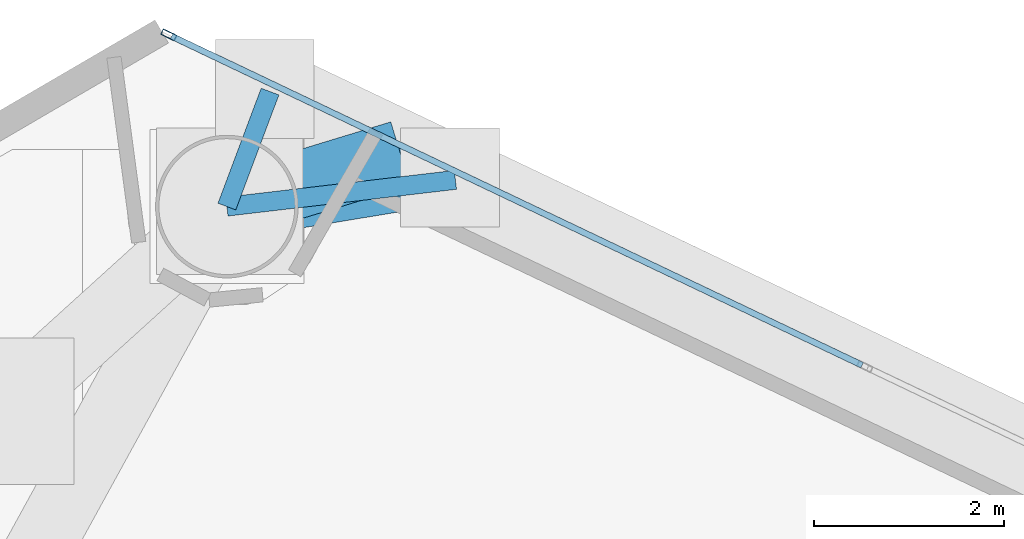
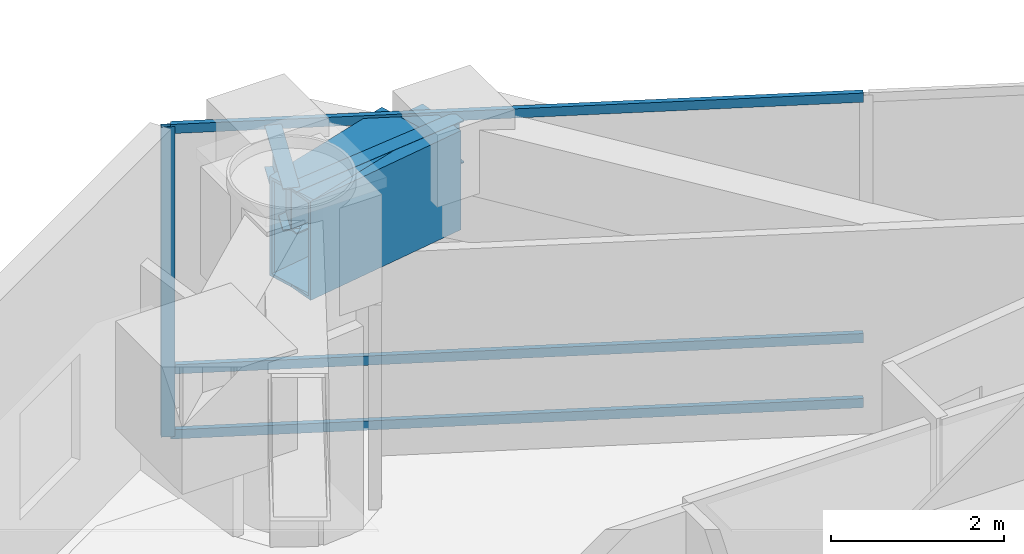
# One storey, part 16 of 22: 4 beams, 4 members, 1 element without a shape of its own.
"""IFC4 building model written with IfcOpenShell, lengths in metres."""

import ifcopenshell
import ifcopenshell.guid

model = None  # the IFC model being written
_history = None  # IfcOwnerHistory: only IFC2X3 demands one
_inside = {}  # id of a spatial element -> (the spatial element, [elements in it])
_under = {}  # id of a project, library or spatial element -> (it, [spatial elements below it])
_declared = {}  # id of a project -> (the project, [libraries it declares])
_typed = {}  # id of a type object -> (the type object, [elements of that type])
_made_of = {}  # id of a material, layer set ... -> (it, [elements and type objects made of it])


def new_model(schema):
    """Start an empty IFC model of exactly this schema.

    Asked for "IFC4X3", IfcOpenShell would pick the latest addendum, in which some entities
    have other attributes; the version numbers below select the first issue.
    IFC2X3 requires an IfcOwnerHistory on every rooted entity: one is made here for all.
    """
    global model, _history
    if schema == "IFC4X3":
        model = ifcopenshell.file(schema_version=(4, 3, 0, 0))
    else:
        model = ifcopenshell.file(schema=schema)
    _inside.clear()
    _under.clear()
    _declared.clear()
    _typed.clear()
    _made_of.clear()
    _history = None
    if model.schema == "IFC2X3":
        org = make("IfcOrganization", Name="unknown")
        user = make(
            "IfcPersonAndOrganization",
            ThePerson=make("IfcPerson", FamilyName="unknown"),
            TheOrganization=org,
        )
        app = make(
            "IfcApplication",
            ApplicationDeveloper=org,
            Version="unknown",
            ApplicationFullName="unknown",
            ApplicationIdentifier="unknown",
        )
        _history = make(
            "IfcOwnerHistory",
            OwningUser=user,
            OwningApplication=app,
            ChangeAction="ADDED",
            CreationDate=0,
        )
    return model


def make(cls, **values):
    """One entity of the class cls with the attributes given. An attribute that is None is left unset."""
    return model.create_entity(
        cls, **{name: value for name, value in values.items() if value is not None}
    )


def rooted(cls, **values):
    """An entity with a GlobalId (a new one), such as an element, a storey or a relation."""
    return make(cls, GlobalId=ifcopenshell.guid.new(), OwnerHistory=_history, **values)


def si_unit(unit_type, name, prefix=None):
    """IfcSIUnit, for example si_unit("LENGTHUNIT", "METRE", prefix="MILLI")."""
    return make("IfcSIUnit", UnitType=unit_type, Prefix=prefix, Name=name)


def assignment(units):
    """IfcUnitAssignment: the units of a project."""
    return None if units is None else make("IfcUnitAssignment", Units=units)


def point(xyz):
    """IfcCartesianPoint."""
    return None if xyz is None else make("IfcCartesianPoint", Coordinates=xyz)


def direction(xyz):
    """IfcDirection."""
    return None if xyz is None else make("IfcDirection", DirectionRatios=xyz)


def frame(location, z_axis=None, x_axis=None):
    """IfcAxis2Placement3D, a coordinate frame: its origin and axes. An axis left out is left unset."""
    return make(
        "IfcAxis2Placement3D",
        Location=point(location),
        Axis=direction(z_axis),
        RefDirection=direction(x_axis),
    )


def frame_2d(location, x_axis=None):
    """IfcAxis2Placement2D, a coordinate frame in the plane: its origin and x axis."""
    return make(
        "IfcAxis2Placement2D", Location=point(location), RefDirection=direction(x_axis)
    )


def origin():
    """The frame at (0, 0, 0) with its axes left unset."""
    return frame((0.0, 0.0, 0.0))


def origin_2d():
    """The frame at (0, 0) in the plane with its x axis left unset."""
    return frame_2d((0.0, 0.0))


def place(relative_to, where):
    """IfcLocalPlacement: puts the frame where relative to a parent placement (None: the world)."""
    return make(
        "IfcLocalPlacement", PlacementRelTo=relative_to, RelativePlacement=where
    )


def context(
    kind, dimensions, precision=None, world=None, true_north=None, identifier=None
):
    """IfcGeometricRepresentationContext, for example the 3D "Model" context."""
    return make(
        "IfcGeometricRepresentationContext",
        ContextIdentifier=identifier,
        ContextType=kind,
        CoordinateSpaceDimension=dimensions,
        Precision=precision,
        WorldCoordinateSystem=world,
        TrueNorth=true_north,
    )


def subcontext(parent, identifier, kind, view, scale=None):
    """IfcGeometricRepresentationSubContext, for example "Body" below "Model"."""
    return make(
        "IfcGeometricRepresentationSubContext",
        ContextIdentifier=identifier,
        ContextType=kind,
        ParentContext=parent,
        TargetScale=scale,
        TargetView=view,
    )


def project(units=None, contexts=None):
    """IfcProject with its units and contexts."""
    return rooted(
        "IfcProject",
        Name="project",
        RepresentationContexts=contexts,
        UnitsInContext=assignment(units),
    )


def spatial(cls, under=None, at=None, **own):
    """A site, building, storey or space (cls), placed at a placement, below another one or the project."""
    s = rooted(cls, ObjectPlacement=at, **own)
    if under is not None:
        _under.setdefault(under.id(), (under, []))[1].append(s)
    return s


def profile(cls, at=None, kind="AREA", **sizes):
    """A parametric profile (cls). Its sizes go by their IFC names, for example OverallWidth=200.0."""
    return make(cls, ProfileType=kind, Position=at, **sizes)


def hollow_rectangle(**sizes):
    """IfcRectangleHollowProfileDef."""
    return profile("IfcRectangleHollowProfileDef", **sizes)


def i_section(**sizes):
    """IfcIShapeProfileDef."""
    return profile("IfcIShapeProfileDef", **sizes)


def extrude(swept, where, along, depth):
    """IfcExtrudedAreaSolid: the profile swept, set in the frame where, extruded along a direction by depth."""
    return make(
        "IfcExtrudedAreaSolid",
        SweptArea=swept,
        Position=where,
        ExtrudedDirection=direction(along),
        Depth=depth,
    )


def shape(context_of_items, identifier, shape_type, items):
    """IfcShapeRepresentation: the items that make up one representation, for example the "Body"."""
    return make(
        "IfcShapeRepresentation",
        ContextOfItems=context_of_items,
        RepresentationIdentifier=identifier,
        RepresentationType=shape_type,
        Items=items,
    )


def material(Name=None, Category=None):
    """IfcMaterial."""
    return make("IfcMaterial", Name=Name, Category=Category)


def layer(
    of_material, thickness, ventilated=None, Name=None, Category=None, Priority=None
):
    """IfcMaterialLayer: one layer of a wall or slab, of a material (None: an air gap)."""
    return make(
        "IfcMaterialLayer",
        Material=of_material,
        LayerThickness=thickness,
        IsVentilated=ventilated,
        Name=Name,
        Category=Category,
        Priority=Priority,
    )


def layer_set(layers, Name=None):
    """IfcMaterialLayerSet."""
    return make("IfcMaterialLayerSet", MaterialLayers=layers, LayerSetName=Name)


def material_profile(
    of_material, cross_section, Name=None, Category=None, Priority=None
):
    """IfcMaterialProfile: a cross section and its material."""
    return make(
        "IfcMaterialProfile",
        Name=Name,
        Material=of_material,
        Profile=cross_section,
        Priority=Priority,
        Category=Category,
    )


def profile_set(profiles, Name=None, composite=None):
    """IfcMaterialProfileSet."""
    return make(
        "IfcMaterialProfileSet",
        Name=Name,
        MaterialProfiles=profiles,
        CompositeProfile=composite,
    )


def made_of(thing, what):
    """Note that an element or type object is made of a material, layer set ...; save() writes the relation."""
    if what is not None:
        _made_of.setdefault(what.id(), (what, []))[1].append(thing)
    return thing


def type_object(cls, material=None, **own):
    """A type object (cls), such as IfcWallType, which elements share."""
    return made_of(rooted(cls, **own), material)


def element(
    cls,
    number,
    at=None,
    inside=None,
    cuts=None,
    type_object=None,
    material=None,
    context=None,
    identifier="Body",
    shape_type=None,
    held_by="IfcProductDefinitionShape",
    body=None,
    shapes=None,
    **own,
):
    """One element of the class cls, such as IfcWall. Its Tag is "e" and its number.

    at: its placement. inside: the storey or other place that contains it. cuts: it is an
    opening in that element (IfcRelVoidsElement). A single representation is given by context,
    identifier, shape_type and body (its items); several are given by shapes. held_by: the class
    of the entity that holds the representations. save() writes the other relations.
    """
    e = rooted(cls, Tag="e%d" % number, ObjectPlacement=at, **own)
    if body is not None:
        shapes = [shape(context, identifier, shape_type, body)]
    if shapes is not None:
        e.Representation = make(held_by, Representations=shapes)
    if inside is not None:
        _inside.setdefault(inside.id(), (inside, []))[1].append(e)
    if cuts is not None:
        rooted(
            "IfcRelVoidsElement", RelatingBuildingElement=cuts, RelatedOpeningElement=e
        )
    if type_object is not None:
        _typed.setdefault(type_object.id(), (type_object, []))[1].append(e)
    return made_of(e, material)


def aggregate(whole, parts):
    """IfcRelAggregates: a whole, such as a stair, and the parts it consists of."""
    return rooted("IfcRelAggregates", RelatingObject=whole, RelatedObjects=parts)


def save(model, path):
    """Write the relations noted so far, then the file.

    IfcRelAggregates (storeys below a building ...), IfcRelContainedInSpatialStructure (elements
    in a storey), IfcRelDefinesByType, IfcRelAssociatesMaterial and IfcRelDeclares: one each for
    every whole, place, type object, material and project.
    """
    for whole, parts in _under.values():
        aggregate(whole, parts)
    for where, things in _inside.values():
        rooted(
            "IfcRelContainedInSpatialStructure",
            RelatedElements=things,
            RelatingStructure=where,
        )
    for kind, things in _typed.values():
        rooted("IfcRelDefinesByType", RelatedObjects=things, RelatingType=kind)
    for what, things in _made_of.values():
        rooted("IfcRelAssociatesMaterial", RelatedObjects=things, RelatingMaterial=what)
    for by, libraries in _declared.values():
        rooted("IfcRelDeclares", RelatingContext=by, RelatedDefinitions=libraries)
    model.write(path)


model = new_model("IFC4")

# Units and contexts
model_context = context("Model", 3, precision=1e-05, world=origin(), true_north=direction((0.0, 1.0)))
body_context = subcontext(model_context, "Body", "Model", "MODEL_VIEW")
ifc_project = project(units=[si_unit("LENGTHUNIT", "METRE"), si_unit("AREAUNIT", "SQUARE_METRE"), si_unit("VOLUMEUNIT", "CUBIC_METRE"), si_unit("PLANEANGLEUNIT", "RADIAN"), si_unit("MASSUNIT", "GRAM", prefix="KILO")], contexts=[model_context])

# Site, building, storey
site_placement = place(None, origin())
site = spatial("IfcSite", under=ifc_project, at=site_placement, CompositionType="ELEMENT")
building_placement = place(site_placement, origin())
building = spatial("IfcBuilding", under=site, at=building_placement, Name="Qianvela Tower", CompositionType="ELEMENT")
storey_placement = place(building_placement, frame((0.0, 0.0, 138.5)))
storey = spatial("IfcBuildingStorey", under=building, at=storey_placement, Name="L35", CompositionType="ELEMENT", Elevation=138.5)

# Beams
ifc_material_1 = material(Name="Steel Q355B", Category="steel")
ifc_material_profile_1 = material_profile(ifc_material_1, i_section(OverallWidth=0.199951171875, OverallDepth=0.60009765625, WebThickness=0.010986328125, FlangeThickness=0.01708984375, at=origin_2d()), Name="HN600x200x11x17")
ifc_profile_set_1 = profile_set([ifc_material_profile_1], Name="Steel Q355B")
beam_type_1 = type_object("IfcBeamType", Name="BM-HN600-GIRD", PredefinedType="BEAM", material=ifc_profile_set_1)
beam_1_placement = place(storey_placement, frame((30.56396484375, 41.52099609375, 4.077880859375), z_axis=(0.993228240319, 0.116179441525, 0.0), x_axis=(-0.116179441525, 0.993228240319, 0.0)))
element("IfcBeam", 1, at=beam_1_placement, inside=storey, type_object=beam_type_1, Name="L35 Mega-Brace Column Tie Bracket F1-1", PredefinedType="BEAM", context=body_context, shape_type="SweptSolid", body=[
    extrude(i_section(OverallWidth=0.199951171875, OverallDepth=0.60009765625, WebThickness=0.010986328125, FlangeThickness=0.01708984375, at=origin_2d()), origin(), (0.0, 0.0, 1.0), 2.418701171875),
])
beam_2_placement = place(storey_placement, frame((30.56396484375, 41.52099609375, 4.077880859375), z_axis=(0.35116486624, 0.936313642279, 0.0), x_axis=(-0.936313642279, 0.35116486624, 0.0)))
element("IfcBeam", 2, at=beam_2_placement, inside=storey, type_object=beam_type_1, Name="L35 Mega-Brace Column Tie Bracket F1-2", PredefinedType="BEAM", context=body_context, shape_type="SweptSolid", body=[
    extrude(i_section(OverallWidth=0.199951171875, OverallDepth=0.60009765625, WebThickness=0.010986328125, FlangeThickness=0.01708984375, at=origin_2d()), origin(), (0.0, 0.0, 1.0), 1.291748046875),
])
ifc_material_2 = material(Name="Steel Q420GJC", Category="steel")
ifc_material_profile_2 = material_profile(ifc_material_2, hollow_rectangle(XDim=0.699951171875, YDim=1.39990234375, WallThickness=0.0400390625, at=origin_2d()), Name="TG-BOX-1400x700x40")
ifc_profile_set_2 = profile_set([ifc_material_profile_2], Name="Steel Q420GJC")
beam_type_2 = type_object("IfcBeamType", Name="BM-TG-STEP-1400", PredefinedType="BEAM", material=ifc_profile_set_2)
beam_3_placement = place(storey_placement, frame((30.56396484375, 41.52099609375, 3.675048828125), z_axis=(0.98663891152, 0.162922246101, 0.0), x_axis=(-0.162922246101, 0.98663891152, 0.0)))
element("IfcBeam", 3, at=beam_3_placement, inside=storey, type_object=beam_type_2, Name="L35 Mega-Brace Zone Base Bracket F1-1", PredefinedType="BEAM", context=body_context, shape_type="SweptSolid", body=[
    extrude(hollow_rectangle(XDim=0.699951171875, YDim=1.39990234375, WallThickness=0.0400390625, at=origin_2d()), origin(), (0.0, 0.0, 1.0), 2.252197265625),
])
beam_4_placement = place(storey_placement, frame((30.56396484375, 41.52099609375, 3.675048828125), z_axis=(0.956566880029, 0.291512956884, 0.0), x_axis=(-0.291512956884, 0.956566880029, 0.0)))
element("IfcBeam", 4, at=beam_4_placement, inside=storey, type_object=beam_type_2, Name="L35 Mega-Brace Zone Base Bracket F1-2", PredefinedType="BEAM", context=body_context, shape_type="SweptSolid", body=[
    extrude(hollow_rectangle(XDim=0.699951171875, YDim=1.39990234375, WallThickness=0.0400390625, at=origin_2d()), origin(), (0.0, 0.0, 1.0), 1.90771484375),
])

# Curtain wall, members
ifc_material_3 = material(Name="Anodised Architectural Aluminium and Insulated Spandrel Panel", Category="aluminium")
ifc_layer = layer(ifc_material_3, 0.179931640625)
ifc_layer_set = layer_set([ifc_layer], Name="Anodised Architectural Aluminium and Insulated Spandrel Panel")
curtain_wall_type = type_object("IfcCurtainWallType", Name="CW-BRACEBAY", PredefinedType="USERDEFINED", material=ifc_layer_set)
curtain_wall_placement = place(storey_placement, origin())
curtain_wall = element("IfcCurtainWall", 5, at=curtain_wall_placement, inside=storey, type_object=curtain_wall_type, Name="L35 CW-BRACEBAY Curtain Wall 02B", ObjectType="CURTAIN_WALL_SYSTEM", PredefinedType="USERDEFINED")
ifc_material_4 = material(Name="Anodised Architectural Aluminium 6063-T6", Category="aluminium")
ifc_material_profile_3 = material_profile(ifc_material_4, hollow_rectangle(XDim=0.06494140625, YDim=0.159912109375, WallThickness=0.0048828125, at=origin_2d()), Name="ALU-MULL-65x160")
ifc_profile_set_3 = profile_set([ifc_material_profile_3], Name="Anodised Architectural Aluminium 6063-T6")
member_type_1 = type_object("IfcMemberType", Name="CW-BRACEBAY-MULL", PredefinedType="MULLION", material=ifc_profile_set_3)
member_1_placement = place(storey_placement, frame((29.952880859375, 43.326416015625, 0.0), z_axis=(0.0, 0.0, 1.0), x_axis=(-0.430086189325, -0.90278783208, 0.0)))
member_1 = element("IfcMember", 6, at=member_1_placement, type_object=member_type_1, Name="CW-9 mullion 3", PredefinedType="MULLION", context=body_context, shape_type="SweptSolid", body=[
    extrude(hollow_rectangle(XDim=0.06494140625, YDim=0.159912109375, WallThickness=0.0048828125, at=origin_2d()), origin(), (0.0, 0.0, 1.0), 4.3798828125),
])
ifc_material_5 = material(Name="Anodised Architectural Aluminium 6063-T6", Category="aluminium")
ifc_material_profile_4 = material_profile(ifc_material_5, hollow_rectangle(XDim=0.06494140625, YDim=0.1298828125, WallThickness=0.00439453125, at=origin_2d()), Name="ALU-TRAN-65x130")
ifc_profile_set_4 = profile_set([ifc_material_profile_4], Name="Anodised Architectural Aluminium 6063-T6")
member_type_2 = type_object("IfcMemberType", Name="CW-BRACEBAY-TRAN", PredefinedType="USERDEFINED", material=ifc_profile_set_4)
member_2_placement = place(storey_placement, frame((37.241943359375, 39.853759765625, 0.032470703125), z_axis=(-0.902789797177, 0.430082064394, 0.0), x_axis=(-0.430082064394, -0.902789797177, 0.0)))
member_2 = element("IfcMember", 7, at=member_2_placement, type_object=member_type_2, Name="CW-9 transom 2.1", ObjectType="TRANSOM", PredefinedType="USERDEFINED", context=body_context, shape_type="SweptSolid", body=[
    extrude(hollow_rectangle(XDim=0.06494140625, YDim=0.1298828125, WallThickness=0.00439453125, at=origin_2d()), origin(), (0.0, 0.0, 1.0), 8.04150390625),
])
member_3_placement = place(storey_placement, frame((37.241943359375, 39.853759765625, 0.949951171875), z_axis=(-0.902789797177, 0.430082064394, 0.0), x_axis=(-0.430082064394, -0.902789797177, 0.0)))
member_3 = element("IfcMember", 8, at=member_3_placement, type_object=member_type_2, Name="CW-9 transom 2.2", ObjectType="TRANSOM", PredefinedType="USERDEFINED", context=body_context, shape_type="SweptSolid", body=[
    extrude(hollow_rectangle(XDim=0.06494140625, YDim=0.1298828125, WallThickness=0.00439453125, at=origin_2d()), origin(), (0.0, 0.0, 1.0), 8.04150390625),
])
member_4_placement = place(storey_placement, frame((37.241943359375, 39.853759765625, 4.347412109375), z_axis=(-0.902789797177, 0.430082064394, 0.0), x_axis=(-0.430082064394, -0.902789797177, 0.0)))
member_4 = element("IfcMember", 9, at=member_4_placement, type_object=member_type_2, Name="CW-9 transom 2.3", ObjectType="TRANSOM", PredefinedType="USERDEFINED", context=body_context, shape_type="SweptSolid", body=[
    extrude(hollow_rectangle(XDim=0.06494140625, YDim=0.1298828125, WallThickness=0.00439453125, at=origin_2d()), origin(), (0.0, 0.0, 1.0), 8.04150390625),
])
aggregate(curtain_wall, [member_1, member_2, member_3, member_4])

save(model, "model.ifc")
